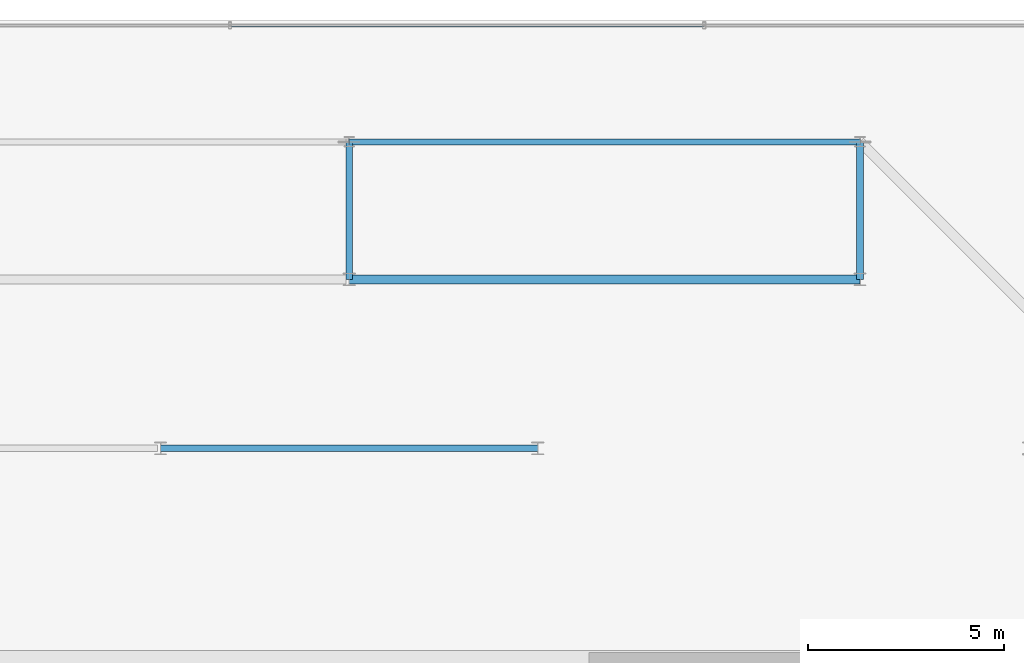
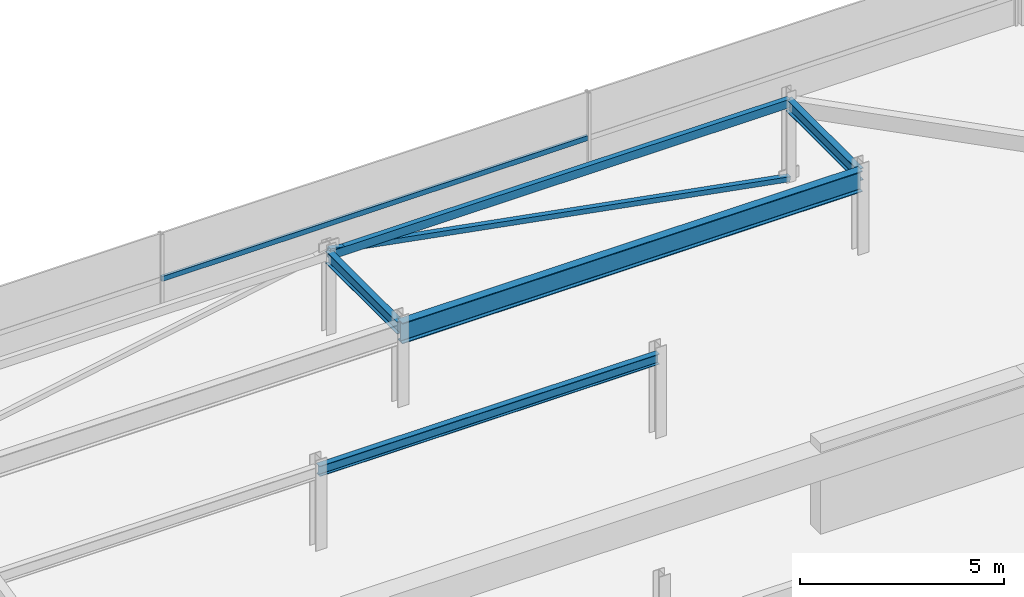
# One storey, part 36 of 44: 5 beams, 2 members, 1 element without a shape of its own.
"""IFC4 building model written with IfcOpenShell, lengths in metres."""

from ifc_helpers import new_model, si_unit, direction, frame, origin, origin_2d, place, context, subcontext, project, spatial, hollow_rectangle, i_section, extrude, material, material_profile, profile_set, type_object, element, aggregate, save


model = new_model("IFC4")

# Units and contexts
model_context = context("Model", 3, precision=1e-05, world=origin(), true_north=direction((0.0, 1.0)))
body_context = subcontext(model_context, "Body", "Model", "MODEL_VIEW")
ifc_project = project(units=[si_unit("LENGTHUNIT", "METRE"), si_unit("AREAUNIT", "SQUARE_METRE"), si_unit("VOLUMEUNIT", "CUBIC_METRE"), si_unit("PLANEANGLEUNIT", "RADIAN"), si_unit("MASSUNIT", "GRAM", prefix="KILO")], contexts=[model_context])

# Site, building, storey
site_placement = place(None, origin())
site = spatial("IfcSite", under=ifc_project, at=site_placement, CompositionType="ELEMENT")
building_placement = place(site_placement, origin())
building = spatial("IfcBuilding", under=site, at=building_placement, Name="Thornwick Lancets Civic Towers", CompositionType="ELEMENT")
storey_placement = place(building_placement, frame((0.0, 0.0, 294.89990234375)))
storey = spatial("IfcBuildingStorey", under=building, at=storey_placement, Name="C06", CompositionType="ELEMENT", Elevation=294.89990234375)

# Beams
ifc_material_1 = material(Name="Steel S355JR", Category="steel")
ifc_material_profile_1 = material_profile(ifc_material_1, hollow_rectangle(XDim=0.14990234375, YDim=0.25, WallThickness=0.012451171875, at=origin_2d()), Name="RHS 250x150x12.5")
ifc_profile_set_1 = profile_set([ifc_material_profile_1], Name="Steel S355JR")
beam_type_1 = type_object("IfcBeamType", Name="BM_CROWN_RHS250", PredefinedType="BEAM", material=ifc_profile_set_1)
beam_1_placement = place(storey_placement, frame((101.5, 47.800048828125, 2.315185546875), z_axis=(-1.0, 0.0, 0.0), x_axis=(0.0, -1.0, 0.0)))
element("IfcBeam", 1, at=beam_1_placement, inside=storey, type_object=beam_type_1, Name="BM-EDGE-C06-B-S1-1", PredefinedType="BEAM", context=body_context, shape_type="SweptSolid", body=[
    extrude(hollow_rectangle(XDim=0.14990234375, YDim=0.25, WallThickness=0.012451171875, at=origin_2d()), origin(), (0.0, 0.0, 1.0), 13.0),
])
ifc_material_profile_2 = material_profile(ifc_material_1, i_section(OverallWidth=0.230224609375, OverallDepth=0.6171875, WebThickness=0.01318359375, FlangeThickness=0.022216796875, FilletRadius=0.0126953125, at=origin_2d()), Name="UKB 610x229x140")
ifc_profile_set_2 = profile_set([ifc_material_profile_2], Name="Steel S355JR")
beam_type_2 = type_object("IfcBeamType", Name="BM_GIRD_610_140", PredefinedType="BEAM", material=ifc_profile_set_2)
beam_2_placement = place(storey_placement, frame((101.5, 44.300048828125, 2.131591796875), z_axis=(-1.0, 0.0, 0.0), x_axis=(0.0, -1.0, 0.0)))
element("IfcBeam", 2, at=beam_2_placement, inside=storey, type_object=beam_type_2, Name="BM-SPINE-C06-B-3-4", PredefinedType="BEAM", context=body_context, shape_type="SweptSolid", body=[
    extrude(i_section(OverallWidth=0.230224609375, OverallDepth=0.6171875, WebThickness=0.01318359375, FlangeThickness=0.022216796875, FilletRadius=0.0126953125, at=origin_2d()), origin(), (0.0, 0.0, 1.0), 13.0),
])
ifc_material_profile_3 = material_profile(ifc_material_1, i_section(OverallWidth=0.173095703125, OverallDepth=0.36328125, WebThickness=0.009033203125, FlangeThickness=0.015625, FilletRadius=0.01025390625, at=origin_2d()), Name="UKB 356x171x67")
ifc_profile_set_3 = profile_set([ifc_material_profile_3], Name="Steel S355JR")
beam_type_3 = type_object("IfcBeamType", Name="BM_JOIST_356_67", PredefinedType="JOIST", material=ifc_profile_set_3)
for number, where, z_axis, x_axis, name in (
    (3, (101.5, 44.300048828125, 2.25830078125), (0.0, 1.0, 0.0), (-1.0, 0.0, 0.0), "BM-RAD-C06-B04"),
    (4, (88.5, 44.300048828125, 2.25830078125), (0.0, 1.0, 0.0), (-1.0, 0.0, 0.0), "BM-RAD-C06-B05"),
):
    element("IfcBeam", number, at=place(storey_placement, frame(where, z_axis=z_axis, x_axis=x_axis)), inside=storey, type_object=beam_type_3, Name=name, PredefinedType="JOIST", context=body_context, shape_type="SweptSolid", body=[
        extrude(i_section(OverallWidth=0.173095703125, OverallDepth=0.36328125, WebThickness=0.009033203125, FlangeThickness=0.015625, FilletRadius=0.01025390625, at=origin_2d()), origin(), (0.0, 0.0, 1.0), 3.5),
    ])
ifc_material_profile_4 = material_profile(ifc_material_1, i_section(OverallWidth=0.1669921875, OverallDepth=0.310302734375, WebThickness=0.0078125, FlangeThickness=0.013671875, FilletRadius=0.0087890625, at=origin_2d()), Name="UKB 305x165x54")
ifc_profile_set_4 = profile_set([ifc_material_profile_4], Name="Steel S355JR")
beam_type_4 = type_object("IfcBeamType", Name="BM_LINTEL_305_54", PredefinedType="LINTEL", material=ifc_profile_set_4)
beam_3_placement = place(storey_placement, frame((93.300048828125, 40.0, 2.284912109375), z_axis=(-1.0, 0.0, 0.0), x_axis=(0.0, -1.0, 0.0)))
element("IfcBeam", 5, at=beam_3_placement, inside=storey, type_object=beam_type_4, Name="BM-INSP-C06-B-1-3", PredefinedType="LINTEL", context=body_context, shape_type="SweptSolid", body=[
    extrude(i_section(OverallWidth=0.1669921875, OverallDepth=0.310302734375, WebThickness=0.0078125, FlangeThickness=0.013671875, FilletRadius=0.0087890625, at=origin_2d()), origin(), (0.0, 0.0, 1.0), 9.60009765625),
])

# Curtain wall, member
ifc_material_2 = material(Name="Crown ring acoustic-louvre and glazing screen wall", Category="glass")
curtain_wall_type = type_object("IfcCurtainWallType", Name="CW_SYS_07", PredefinedType="NOTDEFINED", material=ifc_material_2)
curtain_wall_placement = place(storey_placement, origin())
curtain_wall = element("IfcCurtainWall", 6, at=curtain_wall_placement, inside=storey, type_object=curtain_wall_type, Name="C06 Curtain Wall CW-C06-B-E4", PredefinedType="NOTDEFINED")
ifc_material_3 = material(Name="Thermally broken bronze aluminium S355", Category="steel")
ifc_material_profile_5 = material_profile(ifc_material_3, hollow_rectangle(XDim=0.074951171875, YDim=0.14990234375, WallThickness=0.0048828125, at=origin_2d()), Name="RHS 150x75x5")
ifc_profile_set_5 = profile_set([ifc_material_profile_5], Name="Thermally broken bronze aluminium S355")
member_type_1 = type_object("IfcMemberType", Name="CW_TRN_150", PredefinedType="USERDEFINED", material=ifc_profile_set_5)
member_1_placement = place(storey_placement, frame((97.513916015625, 50.7646484375, 0.85009765625), z_axis=(-1.0, 0.0, 0.0), x_axis=(0.0, -1.0, 0.0)))
member_1 = element("IfcMember", 7, at=member_1_placement, type_object=member_type_1, Name="CW-C06-B-E4 Transom 1", ObjectType="TRANSOM", PredefinedType="USERDEFINED", context=body_context, shape_type="SweptSolid", body=[
    extrude(hollow_rectangle(XDim=0.074951171875, YDim=0.14990234375, WallThickness=0.0048828125, at=origin_2d()), origin(), (0.0, 0.0, 1.0), 12.02783203125),
])
aggregate(curtain_wall, [member_1])

# Member
ifc_material_profile_6 = material_profile(ifc_material_1, hollow_rectangle(XDim=0.14990234375, YDim=0.14990234375, WallThickness=0.010009765625, at=origin_2d()), Name="SHS 150x150x10")
ifc_profile_set_6 = profile_set([ifc_material_profile_6], Name="Steel S355JR")
member_type_2 = type_object("IfcMemberType", Name="MEM_CROWN_SHS150", PredefinedType="BRACE", material=ifc_profile_set_6)
member_2_placement = place(storey_placement, frame((101.5, 47.800048828125, 0.050048828125), z_axis=(-0.983515136313, 0.0, 0.180825818519), x_axis=(0.0, -1.0, 0.0)))
element("IfcMember", 8, at=member_2_placement, inside=storey, type_object=member_type_2, Name="C06 Crown Ring Lancet Rib B-S1-L", PredefinedType="BRACE", context=body_context, shape_type="SweptSolid", body=[
    extrude(hollow_rectangle(XDim=0.14990234375, YDim=0.14990234375, WallThickness=0.010009765625, at=origin_2d()), origin(), (0.0, 0.0, 1.0), 13.2177734375),
])

save(model, "model.ifc")
